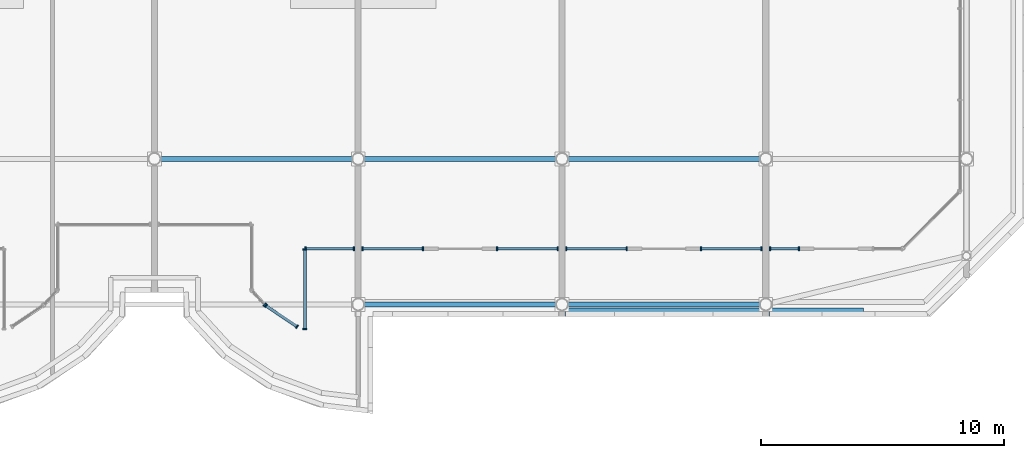
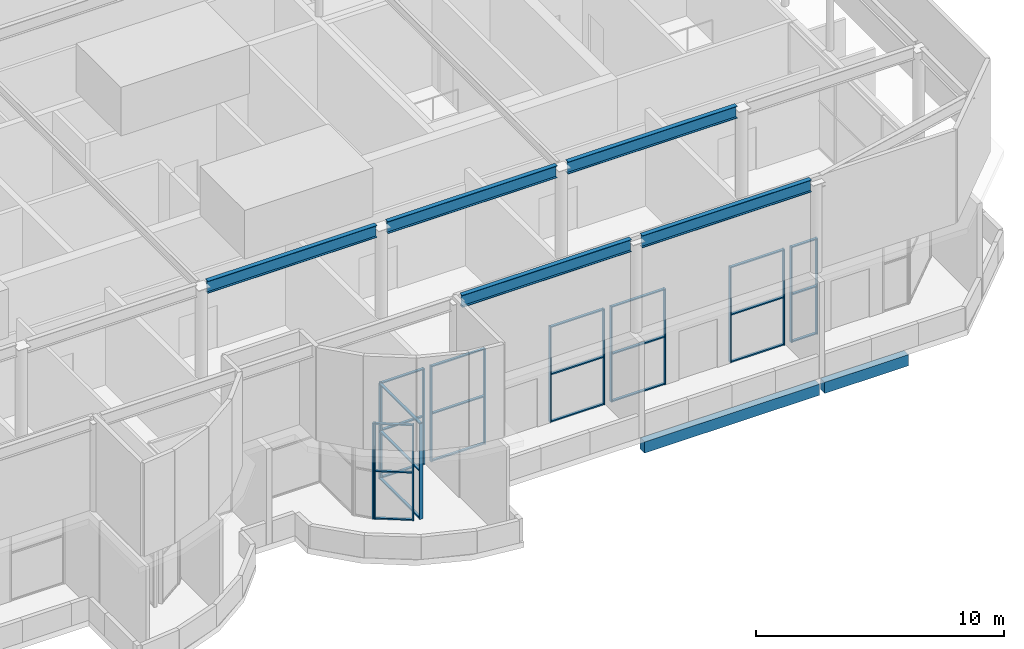
# One storey, part 10 of 25: 41 members, 7 beams, 9 elements without a shape of their own.
"""IFC4 building model written with IfcOpenShell, lengths in metres."""

from ifc_helpers import new_model, si_unit, direction, frame, origin, origin_2d, place, context, subcontext, project, spatial, rectangle, i_section, extrude, source, transform, mapped, material, material_profile, profile_set, type_object, element, aggregate, save


model = new_model("IFC4")

# Units and contexts
model_context = context("Model", 3, precision=1e-05, world=origin(), true_north=direction((0.0, 1.0)))
body_context = subcontext(model_context, "Body", "Model", "MODEL_VIEW")
ifc_project = project(units=[si_unit("LENGTHUNIT", "METRE"), si_unit("AREAUNIT", "SQUARE_METRE"), si_unit("VOLUMEUNIT", "CUBIC_METRE"), si_unit("PLANEANGLEUNIT", "RADIAN"), si_unit("MASSUNIT", "GRAM", prefix="KILO")], contexts=[model_context])

# Site, building, storey
site_placement = place(None, origin())
site = spatial("IfcSite", under=ifc_project, at=site_placement, CompositionType="ELEMENT")
building_placement = place(site_placement, origin())
building = spatial("IfcBuilding", under=site, at=building_placement, Name="Vanashikhar Sky Hotel", CompositionType="ELEMENT")
storey_placement = place(building_placement, frame((0.0, 0.0, 329.699951171875)))
storey = spatial("IfcBuildingStorey", under=building, at=storey_placement, Name="L78", CompositionType="ELEMENT", Elevation=329.699951171875)

# Beams
ifc_material_1 = material(Name="Concrete M50", Category="concrete")
ifc_material_profile_1 = material_profile(ifc_material_1, rectangle(XDim=0.35009765625, YDim=0.550048828125, at=origin_2d()))
ifc_profile_set_1 = profile_set([ifc_material_profile_1], Name="RC 350x550 beam Concrete M50")
beam_type_1 = type_object("IfcBeamType", Name="RC 350x550 beam Concrete M50", PredefinedType="SPANDREL", material=ifc_profile_set_1)
shared_shape_1 = source(origin(), body_context, "Body", "SweptSolid", [
    extrude(rectangle(XDim=0.35009765625, YDim=0.550048828125, at=origin_2d()), origin(), (0.0, 0.0, 1.0), 8.150146484375),
])
beam_1_placement = place(storey_placement, frame((67.324951171875, 5.675048828125, -0.554931640625), z_axis=(1.0, 0.0, 0.0), x_axis=(0.0, 1.0, 0.0)))
element("IfcBeam", 1, at=beam_1_placement, inside=storey, type_object=beam_type_1, Name="EB-L78-F03", PredefinedType="SPANDREL", context=body_context, shape_type="MappedRepresentation", body=[
    mapped(shared_shape_1, transform((0.0, 0.0, 0.0), scale=1.0)),
])
ifc_material_profile_2 = material_profile(ifc_material_1, rectangle(XDim=0.35009765625, YDim=0.550048828125, at=origin_2d()))
ifc_profile_set_2 = profile_set([ifc_material_profile_2], Name="RC 350x550 cantilever beam Concrete M50")
beam_type_2 = type_object("IfcBeamType", Name="RC 350x550 cantilever beam Concrete M50", PredefinedType="SPANDREL", material=ifc_profile_set_2)
shared_shape_2 = source(origin(), body_context, "Body", "SweptSolid", [
    extrude(rectangle(XDim=0.35009765625, YDim=0.550048828125, at=origin_2d()), origin(), (0.0, 0.0, 1.0), 3.89990234375),
])
beam_2_placement = place(storey_placement, frame((75.72509765625, 5.675048828125, -0.554931640625), z_axis=(1.0, 0.0, 0.0), x_axis=(0.0, 1.0, 0.0)))
element("IfcBeam", 2, at=beam_2_placement, inside=storey, type_object=beam_type_2, Name="EB-L78-F04", PredefinedType="SPANDREL", context=body_context, shape_type="MappedRepresentation", body=[
    mapped(shared_shape_2, transform((0.0, 0.0, 0.0), scale=1.0)),
])
ifc_material_2 = material(Name="Steel S355", Category="steel")
ifc_material_profile_3 = material_profile(ifc_material_2, i_section(OverallWidth=0.2099609375, OverallDepth=0.60009765625, WebThickness=0.011962890625, FlangeThickness=0.020751953125, at=origin_2d()), Name="ISMB 600")
ifc_profile_set_3 = profile_set([ifc_material_profile_3], Name="Steel S355")
beam_type_3 = type_object("IfcBeamType", Name="ISMB 600 Steel S355", PredefinedType="BEAM", material=ifc_profile_set_3)
shared_shape_3 = source(origin(), body_context, "Body", "SweptSolid", [
    extrude(i_section(OverallWidth=0.2099609375, OverallDepth=0.60009765625, WebThickness=0.011962890625, FlangeThickness=0.020751953125, at=origin_2d()), origin(), (0.0, 0.0, 1.0), 7.891845703125),
])
for number, where, z_axis, x_axis, name in (
    (3, (67.4541015625, 6.0, 9.300048828125), (1.0, 0.0, 0.0), (0.0, 1.0, 0.0), "CR-L78-X05"),
    (4, (50.654052734375, 12.0, 9.300048828125), (1.0, 0.0, 0.0), (0.0, 1.0, 0.0), "CR-L78-X10"),
    (5, (67.4541015625, 12.0, 9.300048828125), (1.0, 0.0, 0.0), (0.0, 1.0, 0.0), "CR-L78-X12"),
):
    element("IfcBeam", number, at=place(storey_placement, frame(where, z_axis=z_axis, x_axis=x_axis)), inside=storey, type_object=beam_type_3, Name=name, PredefinedType="BEAM", context=body_context, shape_type="MappedRepresentation", body=[
        mapped(shared_shape_3, transform((0.0, 0.0, 0.0), scale=1.0)),
    ])
shared_shape_4 = source(origin(), body_context, "Body", "SweptSolid", [
    extrude(i_section(OverallWidth=0.2099609375, OverallDepth=0.60009765625, WebThickness=0.011962890625, FlangeThickness=0.020751953125, at=origin_2d()), origin(), (0.0, 0.0, 1.0), 7.89208984375),
])
for number, where, z_axis, x_axis, name in (
    (6, (59.053955078125, 6.0, 9.300048828125), (1.0, 0.0, 0.0), (0.0, 1.0, 0.0), "CR-L78-X04"),
    (7, (59.053955078125, 12.0, 9.300048828125), (1.0, 0.0, 0.0), (0.0, 1.0, 0.0), "CR-L78-X11"),
):
    element("IfcBeam", number, at=place(storey_placement, frame(where, z_axis=z_axis, x_axis=x_axis)), inside=storey, type_object=beam_type_3, Name=name, PredefinedType="BEAM", context=body_context, shape_type="MappedRepresentation", body=[
        mapped(shared_shape_4, transform((0.0, 0.0, 0.0), scale=1.0)),
    ])

# Curtain wall, member
ifc_material_3 = material(Name="Glass", Category="glass")
curtain_wall_type = type_object("IfcCurtainWallType", Name="Observation enclosure", PredefinedType="NOTDEFINED", material=ifc_material_3)
curtain_wall_1_placement = place(storey_placement, origin())
curtain_wall_1 = element("IfcCurtainWall", 8, at=curtain_wall_1_placement, inside=storey, type_object=curtain_wall_type, Name="Observation enclosure", PredefinedType="NOTDEFINED")
ifc_material_4 = material(Name="Aluminium 6063-T6", Category="aluminium")
ifc_material_profile_4 = material_profile(ifc_material_4, rectangle(XDim=0.159912109375, YDim=0.06005859375, at=origin_2d()))
ifc_profile_set_4 = profile_set([ifc_material_profile_4], Name="Aluminium 6063-T6")
member_type_1 = type_object("IfcMemberType", Name="Observation mullion 60 x 160", PredefinedType="MULLION", material=ifc_profile_set_4)
shared_shape_5 = source(origin(), body_context, "Body", "SweptSolid", [
    extrude(rectangle(XDim=0.159912109375, YDim=0.06005859375, at=origin_2d()), origin(), (0.0, 0.0, 1.0), 4.719970703125),
])
member_1_placement = place(storey_placement, frame((54.95263671875, 5.98486328125, 0.0), z_axis=(0.0, 0.0, 1.0), x_axis=(0.737486797128, 0.675361550624, 0.0)))
member_1 = element("IfcMember", 9, at=member_1_placement, type_object=member_type_1, Name="CW-6 mullion 2", PredefinedType="MULLION", context=body_context, shape_type="MappedRepresentation", body=[
    mapped(shared_shape_5, transform((0.0, 0.0, 0.0), scale=1.0)),
])
aggregate(curtain_wall_1, [member_1])

# Curtain wall, members
curtain_wall_2_placement = place(storey_placement, origin())
curtain_wall_2 = element("IfcCurtainWall", 10, at=curtain_wall_2_placement, inside=storey, type_object=curtain_wall_type, Name="Observation enclosure", PredefinedType="NOTDEFINED")
member_2_placement = place(storey_placement, frame((54.997802734375, 5.946044921875, 0.0), z_axis=(0.0, 0.0, 1.0), x_axis=(0.558363167868, 0.829596632568, 0.0)))
member_2 = element("IfcMember", 11, at=member_2_placement, type_object=member_type_1, Name="CW-6 mullion 1", PredefinedType="MULLION", context=body_context, shape_type="MappedRepresentation", body=[
    mapped(shared_shape_5, transform((0.0, 0.0, 0.0), scale=1.0)),
])
member_3_placement = place(storey_placement, frame((56.27880859375, 5.083740234375, 0.0), z_axis=(0.0, 0.0, 1.0), x_axis=(0.558363167868, 0.829596632568, 0.0)))
member_3 = element("IfcMember", 12, at=member_3_placement, type_object=member_type_1, Name="CW-6 mullion 2", PredefinedType="MULLION", context=body_context, shape_type="MappedRepresentation", body=[
    mapped(shared_shape_5, transform((0.0, 0.0, 0.0), scale=1.0)),
])

curtain_wall_3_placement = place(storey_placement, origin())
curtain_wall_3 = element("IfcCurtainWall", 13, at=curtain_wall_3_placement, inside=storey, type_object=curtain_wall_type, Name="Observation enclosure", PredefinedType="NOTDEFINED")
member_4_placement = place(storey_placement, frame((56.60009765625, 4.9873046875, 0.0), z_axis=(0.0, 0.0, 1.0), x_axis=(-1.0, 0.0, 0.0)))
member_4 = element("IfcMember", 14, at=member_4_placement, type_object=member_type_1, Name="CW-6 mullion 1", PredefinedType="MULLION", context=body_context, shape_type="MappedRepresentation", body=[
    mapped(shared_shape_5, transform((0.0, 0.0, 0.0), scale=1.0)),
])
member_5_placement = place(storey_placement, frame((56.60009765625, 8.27001953125, 0.0), z_axis=(0.0, 0.0, 1.0), x_axis=(-1.0, 0.0, 0.0)))
member_5 = element("IfcMember", 15, at=member_5_placement, type_object=member_type_1, Name="CW-6 mullion 2", PredefinedType="MULLION", context=body_context, shape_type="MappedRepresentation", body=[
    mapped(shared_shape_5, transform((0.0, 0.0, 0.0), scale=1.0)),
])

curtain_wall_4_placement = place(storey_placement, origin())
curtain_wall_4 = element("IfcCurtainWall", 16, at=curtain_wall_4_placement, inside=storey, type_object=curtain_wall_type, Name="Observation enclosure", PredefinedType="NOTDEFINED")
member_6_placement = place(storey_placement, frame((56.6298828125, 8.300048828125, 0.0), z_axis=(0.0, 0.0, 1.0), x_axis=(0.0, 1.0, 0.0)))
member_6 = element("IfcMember", 17, at=member_6_placement, type_object=member_type_1, Name="CW-6 mullion 1", PredefinedType="MULLION", context=body_context, shape_type="MappedRepresentation", body=[
    mapped(shared_shape_5, transform((0.0, 0.0, 0.0), scale=1.0)),
])
member_7_placement = place(storey_placement, frame((58.625, 8.300048828125, 0.0), z_axis=(0.0, 0.0, 1.0), x_axis=(0.0, 1.0, 0.0)))
member_7 = element("IfcMember", 18, at=member_7_placement, type_object=member_type_1, Name="CW-6 mullion 2", PredefinedType="MULLION", context=body_context, shape_type="MappedRepresentation", body=[
    mapped(shared_shape_5, transform((0.0, 0.0, 0.0), scale=1.0)),
])

curtain_wall_5_placement = place(storey_placement, origin())
curtain_wall_5 = element("IfcCurtainWall", 19, at=curtain_wall_5_placement, inside=storey, type_object=curtain_wall_type, Name="Observation enclosure", PredefinedType="NOTDEFINED")
member_8_placement = place(storey_placement, frame((58.97509765625, 8.300048828125, 0.0), z_axis=(0.0, 0.0, 1.0), x_axis=(0.0, 1.0, 0.0)))
member_8 = element("IfcMember", 20, at=member_8_placement, type_object=member_type_1, Name="CW-6 mullion 1", PredefinedType="MULLION", context=body_context, shape_type="MappedRepresentation", body=[
    mapped(shared_shape_5, transform((0.0, 0.0, 0.0), scale=1.0)),
])
member_9_placement = place(storey_placement, frame((61.469970703125, 8.300048828125, 0.0), z_axis=(0.0, 0.0, 1.0), x_axis=(0.0, 1.0, 0.0)))
member_9 = element("IfcMember", 21, at=member_9_placement, type_object=member_type_1, Name="CW-6 mullion 2", PredefinedType="MULLION", context=body_context, shape_type="MappedRepresentation", body=[
    mapped(shared_shape_5, transform((0.0, 0.0, 0.0), scale=1.0)),
])

curtain_wall_6_placement = place(storey_placement, origin())
curtain_wall_6 = element("IfcCurtainWall", 22, at=curtain_wall_6_placement, inside=storey, type_object=curtain_wall_type, Name="Observation enclosure", PredefinedType="NOTDEFINED")
member_10_placement = place(storey_placement, frame((64.530029296875, 8.300048828125, 0.0), z_axis=(0.0, 0.0, 1.0), x_axis=(0.0, 1.0, 0.0)))
member_10 = element("IfcMember", 23, at=member_10_placement, type_object=member_type_1, Name="CW-6 mullion 1", PredefinedType="MULLION", context=body_context, shape_type="MappedRepresentation", body=[
    mapped(shared_shape_5, transform((0.0, 0.0, 0.0), scale=1.0)),
])
member_11_placement = place(storey_placement, frame((67.02490234375, 8.300048828125, 0.0), z_axis=(0.0, 0.0, 1.0), x_axis=(0.0, 1.0, 0.0)))
member_11 = element("IfcMember", 24, at=member_11_placement, type_object=member_type_1, Name="CW-6 mullion 2", PredefinedType="MULLION", context=body_context, shape_type="MappedRepresentation", body=[
    mapped(shared_shape_5, transform((0.0, 0.0, 0.0), scale=1.0)),
])

curtain_wall_7_placement = place(storey_placement, origin())
curtain_wall_7 = element("IfcCurtainWall", 25, at=curtain_wall_7_placement, inside=storey, type_object=curtain_wall_type, Name="Observation enclosure", PredefinedType="NOTDEFINED")
member_12_placement = place(storey_placement, frame((67.375, 8.300048828125, 0.0), z_axis=(0.0, 0.0, 1.0), x_axis=(0.0, 1.0, 0.0)))
member_12 = element("IfcMember", 26, at=member_12_placement, type_object=member_type_1, Name="CW-6 mullion 1", PredefinedType="MULLION", context=body_context, shape_type="MappedRepresentation", body=[
    mapped(shared_shape_5, transform((0.0, 0.0, 0.0), scale=1.0)),
])
member_13_placement = place(storey_placement, frame((69.8701171875, 8.300048828125, 0.0), z_axis=(0.0, 0.0, 1.0), x_axis=(0.0, 1.0, 0.0)))
member_13 = element("IfcMember", 27, at=member_13_placement, type_object=member_type_1, Name="CW-6 mullion 2", PredefinedType="MULLION", context=body_context, shape_type="MappedRepresentation", body=[
    mapped(shared_shape_5, transform((0.0, 0.0, 0.0), scale=1.0)),
])

curtain_wall_8_placement = place(storey_placement, origin())
curtain_wall_8 = element("IfcCurtainWall", 28, at=curtain_wall_8_placement, inside=storey, type_object=curtain_wall_type, Name="Observation enclosure", PredefinedType="NOTDEFINED")
member_14_placement = place(storey_placement, frame((72.929931640625, 8.300048828125, 0.0), z_axis=(0.0, 0.0, 1.0), x_axis=(0.0, 1.0, 0.0)))
member_14 = element("IfcMember", 29, at=member_14_placement, type_object=member_type_1, Name="CW-6 mullion 1", PredefinedType="MULLION", context=body_context, shape_type="MappedRepresentation", body=[
    mapped(shared_shape_5, transform((0.0, 0.0, 0.0), scale=1.0)),
])
member_15_placement = place(storey_placement, frame((75.425048828125, 8.300048828125, 0.0), z_axis=(0.0, 0.0, 1.0), x_axis=(0.0, 1.0, 0.0)))
member_15 = element("IfcMember", 30, at=member_15_placement, type_object=member_type_1, Name="CW-6 mullion 2", PredefinedType="MULLION", context=body_context, shape_type="MappedRepresentation", body=[
    mapped(shared_shape_5, transform((0.0, 0.0, 0.0), scale=1.0)),
])

curtain_wall_9_placement = place(storey_placement, origin())
curtain_wall_9 = element("IfcCurtainWall", 31, at=curtain_wall_9_placement, inside=storey, type_object=curtain_wall_type, Name="Observation enclosure", PredefinedType="NOTDEFINED")
member_16_placement = place(storey_placement, frame((75.77490234375, 8.300048828125, 0.0), z_axis=(0.0, 0.0, 1.0), x_axis=(0.0, 1.0, 0.0)))
member_16 = element("IfcMember", 32, at=member_16_placement, type_object=member_type_1, Name="CW-6 mullion 1", PredefinedType="MULLION", context=body_context, shape_type="MappedRepresentation", body=[
    mapped(shared_shape_5, transform((0.0, 0.0, 0.0), scale=1.0)),
])
member_17_placement = place(storey_placement, frame((76.962646484375, 8.300048828125, 0.0), z_axis=(0.0, 0.0, 1.0), x_axis=(0.0, 1.0, 0.0)))
member_17 = element("IfcMember", 33, at=member_17_placement, type_object=member_type_1, Name="CW-6 mullion 2", PredefinedType="MULLION", context=body_context, shape_type="MappedRepresentation", body=[
    mapped(shared_shape_5, transform((0.0, 0.0, 0.0), scale=1.0)),
])
ifc_material_profile_5 = material_profile(ifc_material_4, rectangle(XDim=0.1201171875, YDim=0.06005859375, at=origin_2d()))
ifc_profile_set_5 = profile_set([ifc_material_profile_5], Name="Aluminium 6063-T6")
member_type_2 = type_object("IfcMemberType", Name="Observation transom 60 x 120", PredefinedType="USERDEFINED", material=ifc_profile_set_5)
shared_shape_6 = source(origin(), body_context, "Body", "SweptSolid", [
    extrude(rectangle(XDim=0.1201171875, YDim=0.06005859375, at=origin_2d()), origin(), (0.0, 0.0, 1.0), 1.127685546875),
])
member_18_placement = place(storey_placement, frame((75.804931640625, 8.300048828125, 0.030029296875), z_axis=(1.0, 0.0, 0.0), x_axis=(0.0, 1.0, 0.0)))
member_18 = element("IfcMember", 34, at=member_18_placement, type_object=member_type_2, Name="CW-6 transom 1.1", ObjectType="TRANSOM", PredefinedType="USERDEFINED", context=body_context, shape_type="MappedRepresentation", body=[
    mapped(shared_shape_6, transform((0.0, 0.0, 0.0), scale=1.0)),
])
member_19_placement = place(storey_placement, frame((75.804931640625, 8.300048828125, 2.360107421875), z_axis=(1.0, 0.0, 0.0), x_axis=(0.0, 1.0, 0.0)))
member_19 = element("IfcMember", 35, at=member_19_placement, type_object=member_type_2, Name="CW-6 transom 1.2", ObjectType="TRANSOM", PredefinedType="USERDEFINED", context=body_context, shape_type="MappedRepresentation", body=[
    mapped(shared_shape_6, transform((0.0, 0.0, 0.0), scale=1.0)),
])
member_20_placement = place(storey_placement, frame((75.804931640625, 8.300048828125, 4.68994140625), z_axis=(1.0, 0.0, 0.0), x_axis=(0.0, 1.0, 0.0)))
member_20 = element("IfcMember", 36, at=member_20_placement, type_object=member_type_2, Name="CW-6 transom 1.3", ObjectType="TRANSOM", PredefinedType="USERDEFINED", context=body_context, shape_type="MappedRepresentation", body=[
    mapped(shared_shape_6, transform((0.0, 0.0, 0.0), scale=1.0)),
])
aggregate(curtain_wall_9, [member_16, member_17, member_18, member_19, member_20])

# Member
shared_shape_7 = source(origin(), body_context, "Body", "SweptSolid", [
    extrude(rectangle(XDim=0.1201171875, YDim=0.06005859375, at=origin_2d()), origin(), (0.0, 0.0, 1.0), 2.43505859375),
])
member_21_placement = place(storey_placement, frame((59.0048828125, 8.300048828125, 0.030029296875), z_axis=(1.0, 0.0, 0.0), x_axis=(0.0, 1.0, 0.0)))
member_21 = element("IfcMember", 37, at=member_21_placement, type_object=member_type_2, Name="CW-6 transom 1.1", ObjectType="TRANSOM", PredefinedType="USERDEFINED", context=body_context, shape_type="MappedRepresentation", body=[
    mapped(shared_shape_7, transform((0.0, 0.0, 0.0), scale=1.0)),
])

member_22_placement = place(storey_placement, frame((59.0048828125, 8.300048828125, 2.360107421875), z_axis=(1.0, 0.0, 0.0), x_axis=(0.0, 1.0, 0.0)))
member_22 = element("IfcMember", 38, at=member_22_placement, type_object=member_type_2, Name="CW-6 transom 1.2", ObjectType="TRANSOM", PredefinedType="USERDEFINED", context=body_context, shape_type="MappedRepresentation", body=[
    mapped(shared_shape_7, transform((0.0, 0.0, 0.0), scale=1.0)),
])

member_23_placement = place(storey_placement, frame((59.0048828125, 8.300048828125, 4.68994140625), z_axis=(1.0, 0.0, 0.0), x_axis=(0.0, 1.0, 0.0)))
member_23 = element("IfcMember", 39, at=member_23_placement, type_object=member_type_2, Name="CW-6 transom 1.3", ObjectType="TRANSOM", PredefinedType="USERDEFINED", context=body_context, shape_type="MappedRepresentation", body=[
    mapped(shared_shape_7, transform((0.0, 0.0, 0.0), scale=1.0)),
])

aggregate(curtain_wall_5, [member_8, member_9, member_21, member_22, member_23])

member_24_placement = place(storey_placement, frame((64.56005859375, 8.300048828125, 0.030029296875), z_axis=(1.0, 0.0, 0.0), x_axis=(0.0, 1.0, 0.0)))
member_24 = element("IfcMember", 40, at=member_24_placement, type_object=member_type_2, Name="CW-6 transom 1.1", ObjectType="TRANSOM", PredefinedType="USERDEFINED", context=body_context, shape_type="MappedRepresentation", body=[
    mapped(shared_shape_7, transform((0.0, 0.0, 0.0), scale=1.0)),
])

member_25_placement = place(storey_placement, frame((64.56005859375, 8.300048828125, 2.360107421875), z_axis=(1.0, 0.0, 0.0), x_axis=(0.0, 1.0, 0.0)))
member_25 = element("IfcMember", 41, at=member_25_placement, type_object=member_type_2, Name="CW-6 transom 1.2", ObjectType="TRANSOM", PredefinedType="USERDEFINED", context=body_context, shape_type="MappedRepresentation", body=[
    mapped(shared_shape_7, transform((0.0, 0.0, 0.0), scale=1.0)),
])

member_26_placement = place(storey_placement, frame((64.56005859375, 8.300048828125, 4.68994140625), z_axis=(1.0, 0.0, 0.0), x_axis=(0.0, 1.0, 0.0)))
member_26 = element("IfcMember", 42, at=member_26_placement, type_object=member_type_2, Name="CW-6 transom 1.3", ObjectType="TRANSOM", PredefinedType="USERDEFINED", context=body_context, shape_type="MappedRepresentation", body=[
    mapped(shared_shape_7, transform((0.0, 0.0, 0.0), scale=1.0)),
])

aggregate(curtain_wall_6, [member_10, member_11, member_24, member_25, member_26])

member_27_placement = place(storey_placement, frame((67.405029296875, 8.300048828125, 0.030029296875), z_axis=(1.0, 0.0, 0.0), x_axis=(0.0, 1.0, 0.0)))
member_27 = element("IfcMember", 43, at=member_27_placement, type_object=member_type_2, Name="CW-6 transom 1.1", ObjectType="TRANSOM", PredefinedType="USERDEFINED", context=body_context, shape_type="MappedRepresentation", body=[
    mapped(shared_shape_7, transform((0.0, 0.0, 0.0), scale=1.0)),
])

member_28_placement = place(storey_placement, frame((67.405029296875, 8.300048828125, 2.360107421875), z_axis=(1.0, 0.0, 0.0), x_axis=(0.0, 1.0, 0.0)))
member_28 = element("IfcMember", 44, at=member_28_placement, type_object=member_type_2, Name="CW-6 transom 1.2", ObjectType="TRANSOM", PredefinedType="USERDEFINED", context=body_context, shape_type="MappedRepresentation", body=[
    mapped(shared_shape_7, transform((0.0, 0.0, 0.0), scale=1.0)),
])

member_29_placement = place(storey_placement, frame((67.405029296875, 8.300048828125, 4.68994140625), z_axis=(1.0, 0.0, 0.0), x_axis=(0.0, 1.0, 0.0)))
member_29 = element("IfcMember", 45, at=member_29_placement, type_object=member_type_2, Name="CW-6 transom 1.3", ObjectType="TRANSOM", PredefinedType="USERDEFINED", context=body_context, shape_type="MappedRepresentation", body=[
    mapped(shared_shape_7, transform((0.0, 0.0, 0.0), scale=1.0)),
])

aggregate(curtain_wall_7, [member_12, member_13, member_27, member_28, member_29])

member_30_placement = place(storey_placement, frame((72.9599609375, 8.300048828125, 0.030029296875), z_axis=(1.0, 0.0, 0.0), x_axis=(0.0, 1.0, 0.0)))
member_30 = element("IfcMember", 46, at=member_30_placement, type_object=member_type_2, Name="CW-6 transom 1.1", ObjectType="TRANSOM", PredefinedType="USERDEFINED", context=body_context, shape_type="MappedRepresentation", body=[
    mapped(shared_shape_7, transform((0.0, 0.0, 0.0), scale=1.0)),
])

member_31_placement = place(storey_placement, frame((72.9599609375, 8.300048828125, 2.360107421875), z_axis=(1.0, 0.0, 0.0), x_axis=(0.0, 1.0, 0.0)))
member_31 = element("IfcMember", 47, at=member_31_placement, type_object=member_type_2, Name="CW-6 transom 1.2", ObjectType="TRANSOM", PredefinedType="USERDEFINED", context=body_context, shape_type="MappedRepresentation", body=[
    mapped(shared_shape_7, transform((0.0, 0.0, 0.0), scale=1.0)),
])

member_32_placement = place(storey_placement, frame((72.9599609375, 8.300048828125, 4.68994140625), z_axis=(1.0, 0.0, 0.0), x_axis=(0.0, 1.0, 0.0)))
member_32 = element("IfcMember", 48, at=member_32_placement, type_object=member_type_2, Name="CW-6 transom 1.3", ObjectType="TRANSOM", PredefinedType="USERDEFINED", context=body_context, shape_type="MappedRepresentation", body=[
    mapped(shared_shape_7, transform((0.0, 0.0, 0.0), scale=1.0)),
])

aggregate(curtain_wall_8, [member_14, member_15, member_30, member_31, member_32])

shared_shape_8 = source(origin(), body_context, "Body", "SweptSolid", [
    extrude(rectangle(XDim=0.1201171875, YDim=0.06005859375, at=origin_2d()), origin(), (0.0, 0.0, 1.0), 3.222900390625),
])
member_33_placement = place(storey_placement, frame((56.60009765625, 5.01708984375, 0.030029296875), z_axis=(0.0, 1.0, 0.0), x_axis=(-1.0, 0.0, 0.0)))
member_33 = element("IfcMember", 49, at=member_33_placement, type_object=member_type_2, Name="CW-6 transom 1.1", ObjectType="TRANSOM", PredefinedType="USERDEFINED", context=body_context, shape_type="MappedRepresentation", body=[
    mapped(shared_shape_8, transform((0.0, 0.0, 0.0), scale=1.0)),
])

member_34_placement = place(storey_placement, frame((56.60009765625, 5.01708984375, 2.360107421875), z_axis=(0.0, 1.0, 0.0), x_axis=(-1.0, 0.0, 0.0)))
member_34 = element("IfcMember", 50, at=member_34_placement, type_object=member_type_2, Name="CW-6 transom 1.2", ObjectType="TRANSOM", PredefinedType="USERDEFINED", context=body_context, shape_type="MappedRepresentation", body=[
    mapped(shared_shape_8, transform((0.0, 0.0, 0.0), scale=1.0)),
])

member_35_placement = place(storey_placement, frame((56.60009765625, 5.01708984375, 4.68994140625), z_axis=(0.0, 1.0, 0.0), x_axis=(-1.0, 0.0, 0.0)))
member_35 = element("IfcMember", 51, at=member_35_placement, type_object=member_type_2, Name="CW-6 transom 1.3", ObjectType="TRANSOM", PredefinedType="USERDEFINED", context=body_context, shape_type="MappedRepresentation", body=[
    mapped(shared_shape_8, transform((0.0, 0.0, 0.0), scale=1.0)),
])

aggregate(curtain_wall_3, [member_4, member_5, member_33, member_34, member_35])

shared_shape_9 = source(origin(), body_context, "Body", "SweptSolid", [
    extrude(rectangle(XDim=0.1201171875, YDim=0.06005859375, at=origin_2d()), origin(), (0.0, 0.0, 1.0), 1.484130859375),
])
member_36_placement = place(storey_placement, frame((55.022705078125, 5.92919921875, 0.030029296875), z_axis=(0.829612659525, -0.558339354834, 0.0), x_axis=(0.558339354834, 0.829612659525, 0.0)))
member_36 = element("IfcMember", 52, at=member_36_placement, type_object=member_type_2, Name="CW-6 transom 1.1", ObjectType="TRANSOM", PredefinedType="USERDEFINED", context=body_context, shape_type="MappedRepresentation", body=[
    mapped(shared_shape_9, transform((0.0, 0.0, 0.0), scale=1.0)),
])

member_37_placement = place(storey_placement, frame((55.022705078125, 5.92919921875, 2.360107421875), z_axis=(0.829612659525, -0.558339354834, 0.0), x_axis=(0.558339354834, 0.829612659525, 0.0)))
member_37 = element("IfcMember", 53, at=member_37_placement, type_object=member_type_2, Name="CW-6 transom 1.2", ObjectType="TRANSOM", PredefinedType="USERDEFINED", context=body_context, shape_type="MappedRepresentation", body=[
    mapped(shared_shape_9, transform((0.0, 0.0, 0.0), scale=1.0)),
])

member_38_placement = place(storey_placement, frame((55.022705078125, 5.92919921875, 4.68994140625), z_axis=(0.829612659525, -0.558339354834, 0.0), x_axis=(0.558339354834, 0.829612659525, 0.0)))
member_38 = element("IfcMember", 54, at=member_38_placement, type_object=member_type_2, Name="CW-6 transom 1.3", ObjectType="TRANSOM", PredefinedType="USERDEFINED", context=body_context, shape_type="MappedRepresentation", body=[
    mapped(shared_shape_9, transform((0.0, 0.0, 0.0), scale=1.0)),
])

aggregate(curtain_wall_2, [member_2, member_3, member_36, member_37, member_38])

shared_shape_10 = source(origin(), body_context, "Body", "SweptSolid", [
    extrude(rectangle(XDim=0.1201171875, YDim=0.06005859375, at=origin_2d()), origin(), (0.0, 0.0, 1.0), 1.93505859375),
])
member_39_placement = place(storey_placement, frame((56.659912109375, 8.300048828125, 0.030029296875), z_axis=(1.0, 0.0, 0.0), x_axis=(0.0, 1.0, 0.0)))
member_39 = element("IfcMember", 55, at=member_39_placement, type_object=member_type_2, Name="CW-6 transom 1.1", ObjectType="TRANSOM", PredefinedType="USERDEFINED", context=body_context, shape_type="MappedRepresentation", body=[
    mapped(shared_shape_10, transform((0.0, 0.0, 0.0), scale=1.0)),
])

member_40_placement = place(storey_placement, frame((56.659912109375, 8.300048828125, 2.360107421875), z_axis=(1.0, 0.0, 0.0), x_axis=(0.0, 1.0, 0.0)))
member_40 = element("IfcMember", 56, at=member_40_placement, type_object=member_type_2, Name="CW-6 transom 1.2", ObjectType="TRANSOM", PredefinedType="USERDEFINED", context=body_context, shape_type="MappedRepresentation", body=[
    mapped(shared_shape_10, transform((0.0, 0.0, 0.0), scale=1.0)),
])

member_41_placement = place(storey_placement, frame((56.659912109375, 8.300048828125, 4.68994140625), z_axis=(1.0, 0.0, 0.0), x_axis=(0.0, 1.0, 0.0)))
member_41 = element("IfcMember", 57, at=member_41_placement, type_object=member_type_2, Name="CW-6 transom 1.3", ObjectType="TRANSOM", PredefinedType="USERDEFINED", context=body_context, shape_type="MappedRepresentation", body=[
    mapped(shared_shape_10, transform((0.0, 0.0, 0.0), scale=1.0)),
])

aggregate(curtain_wall_4, [member_6, member_7, member_39, member_40, member_41])

save(model, "model.ifc")
